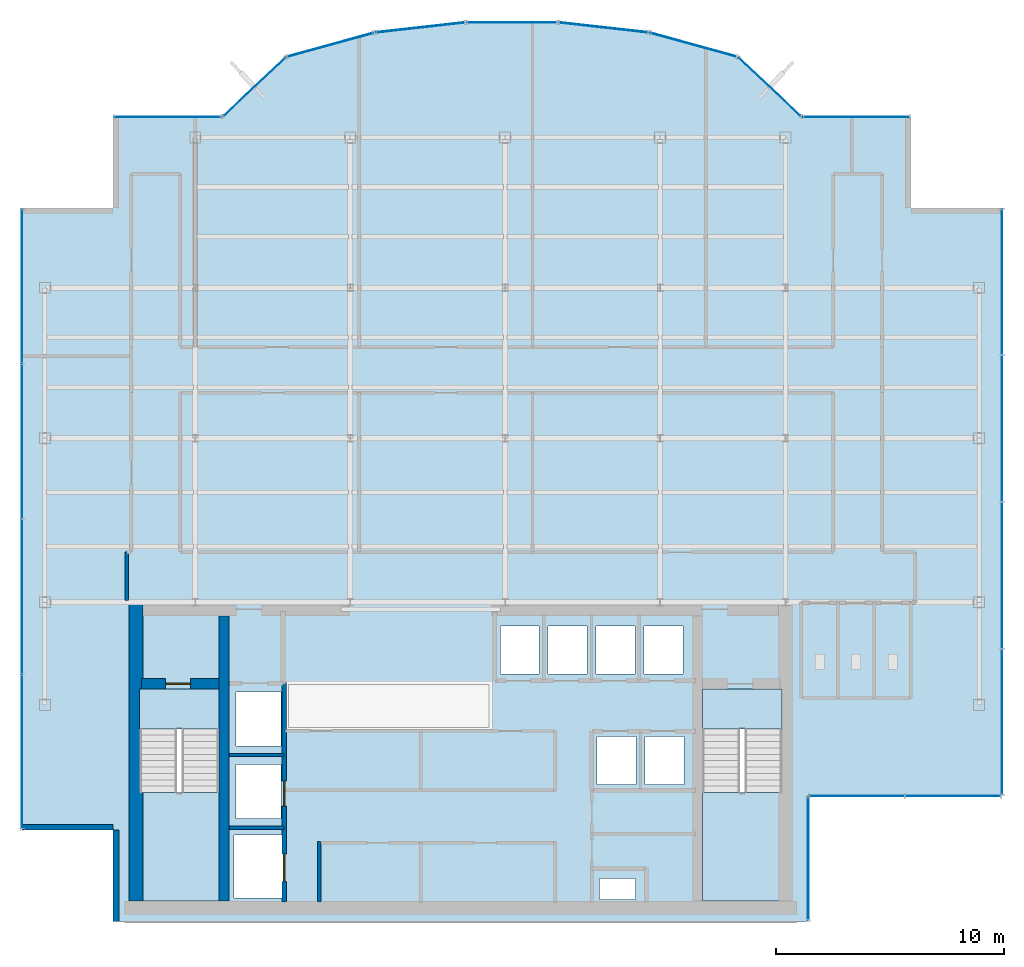
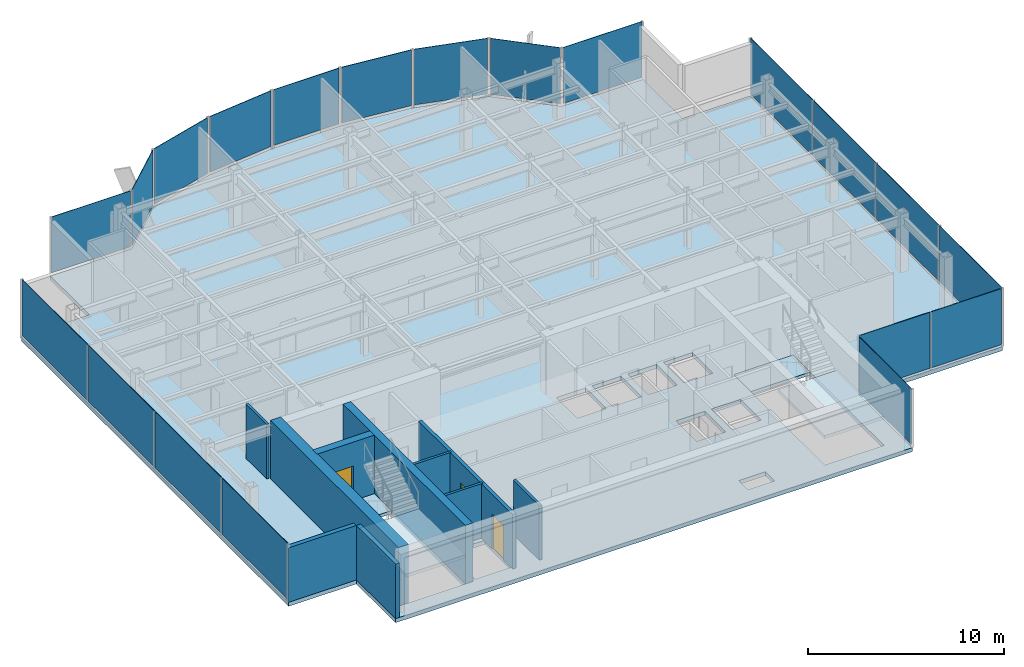
# One storey, part 16 of 22: 20 plates, 10 walls, 5 slabs, 3 doors, 3 openings, 15 elements without a shape of their own.
"""IFC4 building model written with IfcOpenShell, lengths in metres."""

from ifc_helpers import new_model, si_unit, derived_unit, direction, frame, frame_2d, origin, origin_2d, place, context, subcontext, project, spatial, polyline, rectangle, outline, extrude, source, transform, mapped, material, layer, layer_set, type_object, element, fill, aggregate, save


model = new_model("IFC4")

# Units and contexts
model_context = context("Model", 3, precision=1e-05, world=origin(), true_north=direction((0.0, 1.0)))
body_context = subcontext(model_context, "Body", "Model", "MODEL_VIEW")
ifc_project = project(units=[si_unit("LENGTHUNIT", "METRE"), si_unit("AREAUNIT", "SQUARE_METRE"), si_unit("VOLUMEUNIT", "CUBIC_METRE"), si_unit("PLANEANGLEUNIT", "RADIAN"), si_unit("MASSUNIT", "GRAM", prefix="KILO"), derived_unit("THERMALTRANSMITTANCEUNIT", [(si_unit("POWERUNIT", "WATT"), 1), (si_unit("LENGTHUNIT", "METRE"), -2), (si_unit("THERMODYNAMICTEMPERATUREUNIT", "KELVIN"), -1)])], contexts=[model_context])

# Site, building, storey
site_placement = place(None, origin())
site = spatial("IfcSite", under=ifc_project, at=site_placement, CompositionType="ELEMENT")
building_placement = place(site_placement, origin())
building = spatial("IfcBuilding", under=site, at=building_placement, Name="Skarnbrae Concourse Arena and Tower", CompositionType="ELEMENT")
storey_placement = place(building_placement, frame((0.0, 0.0, 251.5)))
storey = spatial("IfcBuildingStorey", under=building, at=storey_placement, Name="L65", CompositionType="ELEMENT", Elevation=251.5)

# Stair, slab
ifc_material_1 = material(Name="Concrete 40 MPa (C40/50)", Category="concrete")
stair_type = type_object("IfcStairType", Name="STAIR-DOGLEG-1650", PredefinedType="HALF_TURN_STAIR", material=ifc_material_1)
stair_1_placement = place(storey_placement, origin())
stair_1 = element("IfcStair", 1, at=stair_1_placement, inside=storey, type_object=stair_type, Name="L65 Protected Exit Stair ST-1", PredefinedType="HALF_TURN_STAIR")
ifc_layer_1 = layer(ifc_material_1, 0.199951171875)
ifc_layer_set_1 = layer_set([ifc_layer_1], Name="Concrete 40 MPa (C40/50)")
slab_type_1 = type_object("IfcSlabType", Name="SLAB-LANDING-200", PredefinedType="LANDING", material=ifc_layer_set_1)
slab_1_placement = place(storey_placement, frame((0.0, 0.0, 1.625)))
slab_1 = element("IfcSlab", 2, at=slab_1_placement, type_object=slab_type_1, Name="ST-1 landing 1", PredefinedType="LANDING", context=body_context, shape_type="SweptSolid", body=[
    extrude(outline(polyline([(5.14990234375, 5.64990234375), (5.14990234375, 0.89990234375), (8.64990234375, 0.89990234375), (8.64990234375, 5.64990234375), (5.14990234375, 5.64990234375)])), origin(), (0.0, 0.0, 1.0), 0.199951171875),
])
aggregate(stair_1, [slab_1])

stair_2_placement = place(storey_placement, origin())
stair_2 = element("IfcStair", 3, at=stair_2_placement, inside=storey, type_object=stair_type, Name="L65 Protected Exit Stair ST-2", PredefinedType="HALF_TURN_STAIR")
slab_2_placement = place(storey_placement, frame((0.0, 0.0, 1.625)))
slab_2 = element("IfcSlab", 4, at=slab_2_placement, type_object=slab_type_1, Name="ST-2 landing 1", PredefinedType="LANDING", context=body_context, shape_type="SweptSolid", body=[
    extrude(outline(polyline([(29.85009765625, 5.64990234375), (29.85009765625, 0.89990234375), (33.35009765625, 0.89990234375), (33.35009765625, 5.64990234375), (29.85009765625, 5.64990234375)])), origin(), (0.0, 0.0, 1.0), 0.199951171875),
])
aggregate(stair_2, [slab_2])

# Slabs
slab_3_placement = place(storey_placement, frame((0.0, 0.0, -0.199951171875)))
element("IfcSlab", 5, at=slab_3_placement, inside=storey, type_object=slab_type_1, Name="L65 Core stair ST1 floor landing", PredefinedType="LANDING", context=body_context, shape_type="SweptSolid", body=[
    extrude(outline(polyline([(5.14990234375, 10.199951171875), (5.14990234375, 8.449951171875), (8.64990234375, 8.449951171875), (8.64990234375, 10.199951171875), (5.14990234375, 10.199951171875)])), origin(), (0.0, 0.0, 1.0), 0.199951171875),
])
slab_4_placement = place(storey_placement, frame((0.0, 0.0, -0.199951171875)))
element("IfcSlab", 6, at=slab_4_placement, inside=storey, type_object=slab_type_1, Name="L65 Core stair ST2 floor landing", PredefinedType="LANDING", context=body_context, shape_type="SweptSolid", body=[
    extrude(outline(polyline([(29.85009765625, 10.199951171875), (29.85009765625, 8.449951171875), (33.35009765625, 8.449951171875), (33.35009765625, 10.199951171875), (29.85009765625, 10.199951171875)])), origin(), (0.0, 0.0, 1.0), 0.199951171875),
])
ifc_layer_2 = layer(ifc_material_1, 0.25)
ifc_layer_set_2 = layer_set([ifc_layer_2], Name="Concrete 40 MPa (C40/50)")
slab_type_2 = type_object("IfcSlabType", Name="SLAB-TOWER-250", PredefinedType="FLOOR", material=ifc_layer_set_2)
slab_5_placement = place(storey_placement, frame((0.0, 0.0, -0.25)))
element("IfcSlab", 7, at=slab_5_placement, inside=storey, type_object=slab_type_2, Name="L65 Structural floor slab", PredefinedType="FLOOR", context=body_context, shape_type="SweptSolid", body=[
    extrude(outline(polyline([(4.0, 0.0), (34.5, 0.0), (34.5, 5.5), (43.0, 5.5), (43.0, 31.300048828125), (39.0, 31.300048828125), (39.0, 35.300048828125), (34.199951171875, 35.300048828125), (31.40966796875, 37.9267578125), (27.52587890625, 38.9970703125), (23.51708984375, 39.44677734375), (19.48291015625, 39.44677734375), (15.47412109375, 38.9970703125), (11.59033203125, 37.9267578125), (8.800048828125, 35.300048828125), (4.0, 35.300048828125), (4.0, 31.300048828125), (0.0, 31.300048828125), (0.0, 4.0), (4.0, 4.0), (4.0, 0.0)]), holes=[polyline([(9.294921875, 1.02001953125), (9.294921875, 3.780029296875), (11.455078125, 3.780029296875), (11.455078125, 1.02001953125), (9.294921875, 1.02001953125)]), polyline([(8.64990234375, 10.199951171875), (8.64990234375, 0.89990234375), (5.14990234375, 0.89990234375), (5.14990234375, 10.199951171875), (8.64990234375, 10.199951171875)]), polyline([(9.39501953125, 6.8798828125), (11.35498046875, 6.8798828125), (11.35498046875, 4.52001953125), (9.39501953125, 4.52001953125), (9.39501953125, 6.8798828125)]), polyline([(9.39501953125, 7.695068359375), (9.39501953125, 10.054931640625), (11.35498046875, 10.054931640625), (11.35498046875, 7.695068359375), (9.39501953125, 7.695068359375)]), polyline([(20.985107421875, 12.955078125), (22.695068359375, 12.955078125), (22.695068359375, 10.844970703125), (20.985107421875, 10.844970703125), (20.985107421875, 12.955078125)]), polyline([(23.0849609375, 12.955078125), (24.794921875, 12.955078125), (24.794921875, 10.844970703125), (23.0849609375, 10.844970703125), (23.0849609375, 12.955078125)]), polyline([(25.35009765625, 0.949951171875), (25.35009765625, 1.889892578125), (26.919921875, 1.889892578125), (26.919921875, 0.949951171875), (25.35009765625, 0.949951171875)]), polyline([(33.35009765625, 10.199951171875), (33.35009765625, 0.89990234375), (29.85009765625, 0.89990234375), (29.85009765625, 10.199951171875), (33.35009765625, 10.199951171875)]), polyline([(25.235107421875, 8.10498046875), (26.945068359375, 8.10498046875), (26.945068359375, 5.9951171875), (25.235107421875, 5.9951171875), (25.235107421875, 8.10498046875)]), polyline([(27.3349609375, 5.9951171875), (27.3349609375, 8.10498046875), (29.044921875, 8.10498046875), (29.044921875, 5.9951171875), (27.3349609375, 5.9951171875)]), polyline([(25.18505859375, 12.955078125), (26.89501953125, 12.955078125), (26.89501953125, 10.844970703125), (25.18505859375, 10.844970703125), (25.18505859375, 12.955078125)]), polyline([(27.284912109375, 12.955078125), (28.9951171875, 12.955078125), (28.9951171875, 10.844970703125), (27.284912109375, 10.844970703125), (27.284912109375, 12.955078125)])]), origin(), (0.0, 0.0, 1.0), 0.25),
])

# Curtain wall, plate
ifc_material_2 = material(Name="Bronze anodised aluminium 6063-T6", Category="aluminium")
curtain_wall_type_1 = type_object("IfcCurtainWallType", Name="CW-SYS-05-HIGHZONE", PredefinedType="USERDEFINED", material=ifc_material_2)
curtain_wall_1_placement = place(storey_placement, origin())
curtain_wall_1 = element("IfcCurtainWall", 8, at=curtain_wall_1_placement, inside=storey, type_object=curtain_wall_type_1, Name="L65 Unitised curtain wall CW-L65-E02", ObjectType="UNITISED CURTAIN WALL", PredefinedType="USERDEFINED")
ifc_material_3 = material(Name="Low-E triple insulating glass", Category="glass")
ifc_layer_3 = layer(ifc_material_3, 0.030029296875)
ifc_layer_set_3 = layer_set([ifc_layer_3], Name="Low-E triple insulating glass")
plate_type_1 = type_object("IfcPlateType", Name="CWP-CW-05", PredefinedType="CURTAIN_PANEL", material=ifc_layer_set_3)
shared_shape_1 = source(origin(), body_context, "Body", "SweptSolid", [
    extrude(rectangle(XDim=5.35009765625, YDim=0.030029296875, at=origin_2d()), origin(), (0.0, 0.0, 1.0), 3.5),
])
plate_1_placement = place(storey_placement, frame((34.5, 2.75, 0.14990234375), z_axis=(0.0, 0.0, 1.0), x_axis=(0.0, 1.0, 0.0)))
plate_1 = element("IfcPlate", 9, at=plate_1_placement, type_object=plate_type_1, Name="CW-L65-E02 Low-E Glazing Panel 1", PredefinedType="CURTAIN_PANEL", context=body_context, shape_type="MappedRepresentation", body=[
    mapped(shared_shape_1, transform((0.0, 0.0, 0.0))),
])
aggregate(curtain_wall_1, [plate_1])

# Curtain wall, plates
curtain_wall_2_placement = place(storey_placement, origin())
curtain_wall_2 = element("IfcCurtainWall", 10, at=curtain_wall_2_placement, inside=storey, type_object=curtain_wall_type_1, Name="L65 Unitised curtain wall CW-L65-E03", ObjectType="UNITISED CURTAIN WALL", PredefinedType="USERDEFINED")
shared_shape_2 = source(origin(), body_context, "Body", "SweptSolid", [
    extrude(rectangle(XDim=4.137451171875, YDim=0.030029296875, at=origin_2d()), origin(), (0.0, 0.0, 1.0), 3.5),
])
plate_2_placement = place(storey_placement, frame((36.643798828125, 5.5, 0.14990234375), z_axis=(0.0, 0.0, 1.0), x_axis=(1.0, 0.0, 0.0)))
plate_2 = element("IfcPlate", 11, at=plate_2_placement, type_object=plate_type_1, Name="CW-L65-E03 Low-E Glazing Panel 1", PredefinedType="CURTAIN_PANEL", context=body_context, shape_type="MappedRepresentation", body=[
    mapped(shared_shape_2, transform((0.0, 0.0, 0.0))),
])
plate_3_placement = place(storey_placement, frame((40.856201171875, 5.5, 0.14990234375), z_axis=(0.0, 0.0, 1.0), x_axis=(1.0, 0.0, 0.0)))
plate_3 = element("IfcPlate", 12, at=plate_3_placement, type_object=plate_type_1, Name="CW-L65-E03 Low-E Glazing Panel 2", PredefinedType="CURTAIN_PANEL", context=body_context, shape_type="MappedRepresentation", body=[
    mapped(shared_shape_2, transform((0.0, 0.0, 0.0))),
])
aggregate(curtain_wall_2, [plate_2, plate_3])

# Curtain wall, plate
curtain_wall_3_placement = place(storey_placement, origin())
curtain_wall_3 = element("IfcCurtainWall", 13, at=curtain_wall_3_placement, inside=storey, type_object=curtain_wall_type_1, Name="L65 Unitised curtain wall CW-L65-E07", ObjectType="UNITISED CURTAIN WALL", PredefinedType="USERDEFINED")
shared_shape_3 = source(origin(), body_context, "Body", "SweptSolid", [
    extrude(rectangle(XDim=4.64990234375, YDim=0.030029296875, at=origin_2d()), origin(), (0.0, 0.0, 1.0), 3.5),
])
plate_4_placement = place(storey_placement, frame((36.60009765625, 35.300048828125, 0.14990234375), z_axis=(0.0, 0.0, 1.0), x_axis=(-1.0, 0.0, 0.0)))
plate_4 = element("IfcPlate", 14, at=plate_4_placement, type_object=plate_type_1, Name="CW-L65-E07 Low-E Glazing Panel 1", PredefinedType="CURTAIN_PANEL", context=body_context, shape_type="MappedRepresentation", body=[
    mapped(shared_shape_3, transform((0.0, 0.0, 0.0))),
])
aggregate(curtain_wall_3, [plate_4])

curtain_wall_4_placement = place(storey_placement, origin())
curtain_wall_4 = element("IfcCurtainWall", 15, at=curtain_wall_4_placement, inside=storey, type_object=curtain_wall_type_1, Name="L65 Unitised curtain wall CW-L65-E15", ObjectType="UNITISED CURTAIN WALL", PredefinedType="USERDEFINED")
plate_5_placement = place(storey_placement, frame((6.39990234375, 35.300048828125, 0.14990234375), z_axis=(0.0, 0.0, 1.0), x_axis=(-1.0, 0.0, 0.0)))
plate_5 = element("IfcPlate", 16, at=plate_5_placement, type_object=plate_type_1, Name="CW-L65-E15 Low-E Glazing Panel 1", PredefinedType="CURTAIN_PANEL", context=body_context, shape_type="MappedRepresentation", body=[
    mapped(shared_shape_3, transform((0.0, 0.0, 0.0))),
])
aggregate(curtain_wall_4, [plate_5])

curtain_wall_5_placement = place(storey_placement, origin())
curtain_wall_5 = element("IfcCurtainWall", 17, at=curtain_wall_5_placement, inside=storey, type_object=curtain_wall_type_1, Name="L65 Unitised curtain wall CW-L65-E08", ObjectType="UNITISED CURTAIN WALL", PredefinedType="USERDEFINED")
shared_shape_4 = source(origin(), body_context, "Body", "SweptSolid", [
    extrude(rectangle(XDim=3.68212890625, YDim=0.030029296875, at=origin_2d()), origin(), (0.0, 0.0, 1.0), 3.5),
])
plate_6_placement = place(storey_placement, frame((32.804931640625, 36.61328125, 0.14990234375), z_axis=(0.0, 0.0, 1.0), x_axis=(-0.728130555214, 0.685438468838, 0.0)))
plate_6 = element("IfcPlate", 18, at=plate_6_placement, type_object=plate_type_1, Name="CW-L65-E08 Low-E Glazing Panel 1", PredefinedType="CURTAIN_PANEL", context=body_context, shape_type="MappedRepresentation", body=[
    mapped(shared_shape_4, transform((0.0, 0.0, 0.0))),
])
aggregate(curtain_wall_5, [plate_6])

curtain_wall_6_placement = place(storey_placement, origin())
curtain_wall_6 = element("IfcCurtainWall", 19, at=curtain_wall_6_placement, inside=storey, type_object=curtain_wall_type_1, Name="L65 Unitised curtain wall CW-L65-E14", ObjectType="UNITISED CURTAIN WALL", PredefinedType="USERDEFINED")
plate_7_placement = place(storey_placement, frame((10.195068359375, 36.61328125, 0.14990234375), z_axis=(0.0, 0.0, 1.0), x_axis=(-0.728130555214, -0.685438468838, 0.0)))
plate_7 = element("IfcPlate", 20, at=plate_7_placement, type_object=plate_type_1, Name="CW-L65-E14 Low-E Glazing Panel 1", PredefinedType="CURTAIN_PANEL", context=body_context, shape_type="MappedRepresentation", body=[
    mapped(shared_shape_4, transform((0.0, 0.0, 0.0))),
])
aggregate(curtain_wall_6, [plate_7])

# Curtain wall, plates
curtain_wall_7_placement = place(storey_placement, origin())
curtain_wall_7 = element("IfcCurtainWall", 21, at=curtain_wall_7_placement, inside=storey, type_object=curtain_wall_type_1, Name="L65 Unitised curtain wall CW-L65-E18", ObjectType="UNITISED CURTAIN WALL", PredefinedType="USERDEFINED")
shared_shape_5 = source(origin(), body_context, "Body", "SweptSolid", [
    extrude(rectangle(XDim=6.71240234375, YDim=0.030029296875, at=origin_2d()), origin(), (0.0, 0.0, 1.0), 3.5),
])
plate_8_placement = place(storey_placement, frame((0.0, 27.86865234375, 0.14990234375), z_axis=(0.0, 0.0, 1.0), x_axis=(0.0, -1.0, 0.0)))
plate_8 = element("IfcPlate", 22, at=plate_8_placement, type_object=plate_type_1, Name="CW-L65-E18 Low-E Glazing Panel 1", PredefinedType="CURTAIN_PANEL", context=body_context, shape_type="MappedRepresentation", body=[
    mapped(shared_shape_5, transform((0.0, 0.0, 0.0))),
])
plate_9_placement = place(storey_placement, frame((0.0, 7.431396484375, 0.14990234375), z_axis=(0.0, 0.0, 1.0), x_axis=(0.0, -1.0, 0.0)))
plate_9 = element("IfcPlate", 23, at=plate_9_placement, type_object=plate_type_1, Name="CW-L65-E18 Low-E Glazing Panel 4", PredefinedType="CURTAIN_PANEL", context=body_context, shape_type="MappedRepresentation", body=[
    mapped(shared_shape_5, transform((0.0, 0.0, 0.0))),
])
shared_shape_6 = source(origin(), body_context, "Body", "SweptSolid", [
    extrude(rectangle(XDim=6.75, YDim=0.030029296875, at=origin_2d()), origin(), (0.0, 0.0, 1.0), 3.5),
])
plate_10_placement = place(storey_placement, frame((0.0, 21.0625, 0.14990234375), z_axis=(0.0, 0.0, 1.0), x_axis=(0.0, -1.0, 0.0)))
plate_10 = element("IfcPlate", 24, at=plate_10_placement, type_object=plate_type_1, Name="CW-L65-E18 Low-E Glazing Panel 2", PredefinedType="CURTAIN_PANEL", context=body_context, shape_type="MappedRepresentation", body=[
    mapped(shared_shape_6, transform((0.0, 0.0, 0.0))),
])
plate_11_placement = place(storey_placement, frame((0.0, 14.237548828125, 0.14990234375), z_axis=(0.0, 0.0, 1.0), x_axis=(0.0, -1.0, 0.0)))
plate_11 = element("IfcPlate", 25, at=plate_11_placement, type_object=plate_type_1, Name="CW-L65-E18 Low-E Glazing Panel 3", PredefinedType="CURTAIN_PANEL", context=body_context, shape_type="MappedRepresentation", body=[
    mapped(shared_shape_6, transform((0.0, 0.0, 0.0))),
])
aggregate(curtain_wall_7, [plate_8, plate_10, plate_11, plate_9])

curtain_wall_8_placement = place(storey_placement, origin())
curtain_wall_8 = element("IfcCurtainWall", 26, at=curtain_wall_8_placement, inside=storey, type_object=curtain_wall_type_1, Name="L65 Unitised curtain wall CW-L65-E04", ObjectType="UNITISED CURTAIN WALL", PredefinedType="USERDEFINED")
shared_shape_7 = source(origin(), body_context, "Body", "SweptSolid", [
    extrude(rectangle(XDim=6.33740234375, YDim=0.030029296875, at=origin_2d()), origin(), (0.0, 0.0, 1.0), 3.5),
])
plate_12_placement = place(storey_placement, frame((43.0, 8.743896484375, 0.14990234375), z_axis=(0.0, 0.0, 1.0), x_axis=(0.0, 1.0, 0.0)))
plate_12 = element("IfcPlate", 27, at=plate_12_placement, type_object=plate_type_1, Name="CW-L65-E04 Low-E Glazing Panel 1", PredefinedType="CURTAIN_PANEL", context=body_context, shape_type="MappedRepresentation", body=[
    mapped(shared_shape_7, transform((0.0, 0.0, 0.0))),
])
plate_13_placement = place(storey_placement, frame((43.0, 28.05615234375, 0.14990234375), z_axis=(0.0, 0.0, 1.0), x_axis=(0.0, 1.0, 0.0)))
plate_13 = element("IfcPlate", 28, at=plate_13_placement, type_object=plate_type_1, Name="CW-L65-E04 Low-E Glazing Panel 4", PredefinedType="CURTAIN_PANEL", context=body_context, shape_type="MappedRepresentation", body=[
    mapped(shared_shape_7, transform((0.0, 0.0, 0.0))),
])
shared_shape_8 = source(origin(), body_context, "Body", "SweptSolid", [
    extrude(rectangle(XDim=6.375, YDim=0.030029296875, at=origin_2d()), origin(), (0.0, 0.0, 1.0), 3.5),
])
plate_14_placement = place(storey_placement, frame((43.0, 15.175048828125, 0.14990234375), z_axis=(0.0, 0.0, 1.0), x_axis=(0.0, 1.0, 0.0)))
plate_14 = element("IfcPlate", 29, at=plate_14_placement, type_object=plate_type_1, Name="CW-L65-E04 Low-E Glazing Panel 2", PredefinedType="CURTAIN_PANEL", context=body_context, shape_type="MappedRepresentation", body=[
    mapped(shared_shape_8, transform((0.0, 0.0, 0.0))),
])
plate_15_placement = place(storey_placement, frame((43.0, 21.625, 0.14990234375), z_axis=(0.0, 0.0, 1.0), x_axis=(0.0, 1.0, 0.0)))
plate_15 = element("IfcPlate", 30, at=plate_15_placement, type_object=plate_type_1, Name="CW-L65-E04 Low-E Glazing Panel 3", PredefinedType="CURTAIN_PANEL", context=body_context, shape_type="MappedRepresentation", body=[
    mapped(shared_shape_8, transform((0.0, 0.0, 0.0))),
])
aggregate(curtain_wall_8, [plate_12, plate_14, plate_15, plate_13])

# Curtain wall, plate
curtain_wall_type_2 = type_object("IfcCurtainWallType", Name="CW-SYS-03-PORTAL", PredefinedType="USERDEFINED", material=ifc_material_2)
curtain_wall_9_placement = place(storey_placement, origin())
curtain_wall_9 = element("IfcCurtainWall", 31, at=curtain_wall_9_placement, inside=storey, type_object=curtain_wall_type_2, Name="L65 Unitised curtain wall CW-L65-E09", ObjectType="UNITISED CURTAIN WALL", PredefinedType="USERDEFINED")
ifc_layer_4 = layer(ifc_material_3, 0.033935546875)
ifc_layer_set_4 = layer_set([ifc_layer_4], Name="Low-E triple insulating glass")
plate_type_2 = type_object("IfcPlateType", Name="CWP-CW-03", PredefinedType="CURTAIN_PANEL", material=ifc_layer_set_4)
shared_shape_9 = source(origin(), body_context, "Body", "SweptSolid", [
    extrude(rectangle(XDim=3.86865234375, YDim=0.033935546875, at=origin_2d()), origin(), (0.0, 0.0, 1.0), 3.47998046875),
])
plate_16_placement = place(storey_placement, frame((29.4677734375, 38.4619140625, 0.169921875), z_axis=(0.0, 0.0, 1.0), x_axis=(-0.964057388766, 0.265694093207, 0.0)))
plate_16 = element("IfcPlate", 32, at=plate_16_placement, type_object=plate_type_2, Name="CW-L65-E09 Low-E Glazing Panel 1", PredefinedType="CURTAIN_PANEL", context=body_context, shape_type="MappedRepresentation", body=[
    mapped(shared_shape_9, transform((0.0, 0.0, 0.0))),
])
aggregate(curtain_wall_9, [plate_16])

curtain_wall_10_placement = place(storey_placement, origin())
curtain_wall_10 = element("IfcCurtainWall", 33, at=curtain_wall_10_placement, inside=storey, type_object=curtain_wall_type_2, Name="L65 Unitised curtain wall CW-L65-E13", ObjectType="UNITISED CURTAIN WALL", PredefinedType="USERDEFINED")
plate_17_placement = place(storey_placement, frame((13.5322265625, 38.4619140625, 0.169921875), z_axis=(0.0, 0.0, 1.0), x_axis=(-0.964057388766, -0.265694093207, 0.0)))
plate_17 = element("IfcPlate", 34, at=plate_17_placement, type_object=plate_type_2, Name="CW-L65-E13 Low-E Glazing Panel 1", PredefinedType="CURTAIN_PANEL", context=body_context, shape_type="MappedRepresentation", body=[
    mapped(shared_shape_9, transform((0.0, 0.0, 0.0))),
])
aggregate(curtain_wall_10, [plate_17])

curtain_wall_11_placement = place(storey_placement, origin())
curtain_wall_11 = element("IfcCurtainWall", 35, at=curtain_wall_11_placement, inside=storey, type_object=curtain_wall_type_2, Name="L65 Unitised curtain wall CW-L65-E10", ObjectType="UNITISED CURTAIN WALL", PredefinedType="USERDEFINED")
shared_shape_10 = source(origin(), body_context, "Body", "SweptSolid", [
    extrude(rectangle(XDim=3.873779296875, YDim=0.033935546875, at=origin_2d()), origin(), (0.0, 0.0, 1.0), 3.47998046875),
])
plate_18_placement = place(storey_placement, frame((25.521484375, 39.221923828125, 0.169921875), z_axis=(0.0, 0.0, 1.0), x_axis=(-0.993768891873, 0.111460259941, 0.0)))
plate_18 = element("IfcPlate", 36, at=plate_18_placement, type_object=plate_type_2, Name="CW-L65-E10 Low-E Glazing Panel 1", PredefinedType="CURTAIN_PANEL", context=body_context, shape_type="MappedRepresentation", body=[
    mapped(shared_shape_10, transform((0.0, 0.0, 0.0))),
])
aggregate(curtain_wall_11, [plate_18])

curtain_wall_12_placement = place(storey_placement, origin())
curtain_wall_12 = element("IfcCurtainWall", 37, at=curtain_wall_12_placement, inside=storey, type_object=curtain_wall_type_2, Name="L65 Unitised curtain wall CW-L65-E12", ObjectType="UNITISED CURTAIN WALL", PredefinedType="USERDEFINED")
plate_19_placement = place(storey_placement, frame((17.478515625, 39.221923828125, 0.169921875), z_axis=(0.0, 0.0, 1.0), x_axis=(-0.993768891873, -0.111460259941, 0.0)))
plate_19 = element("IfcPlate", 38, at=plate_19_placement, type_object=plate_type_2, Name="CW-L65-E12 Low-E Glazing Panel 1", PredefinedType="CURTAIN_PANEL", context=body_context, shape_type="MappedRepresentation", body=[
    mapped(shared_shape_10, transform((0.0, 0.0, 0.0))),
])
aggregate(curtain_wall_12, [plate_19])

curtain_wall_13_placement = place(storey_placement, origin())
curtain_wall_13 = element("IfcCurtainWall", 39, at=curtain_wall_13_placement, inside=storey, type_object=curtain_wall_type_2, Name="L65 Unitised curtain wall CW-L65-E11", ObjectType="UNITISED CURTAIN WALL", PredefinedType="USERDEFINED")
shared_shape_11 = source(origin(), body_context, "Body", "SweptSolid", [
    extrude(rectangle(XDim=3.87451171875, YDim=0.033935546875, at=origin_2d()), origin(), (0.0, 0.0, 1.0), 3.47998046875),
])
plate_20_placement = place(storey_placement, frame((21.5, 39.44677734375, 0.169921875), z_axis=(0.0, 0.0, 1.0), x_axis=(-1.0, 0.0, 0.0)))
plate_20 = element("IfcPlate", 40, at=plate_20_placement, type_object=plate_type_2, Name="CW-L65-E11 Low-E Glazing Panel 1", PredefinedType="CURTAIN_PANEL", context=body_context, shape_type="MappedRepresentation", body=[
    mapped(shared_shape_11, transform((0.0, 0.0, 0.0))),
])
aggregate(curtain_wall_13, [plate_20])

# Wall, opening, door
ifc_material_4 = material(Name="Concrete 50 MPa (C50/60)", Category="concrete")
ifc_layer_5 = layer(ifc_material_4, 0.449951171875)
ifc_layer_set_5 = layer_set([ifc_layer_5], Name="Concrete 50 MPa (C50/60)")
wall_type_1 = type_object("IfcWallType", Name="WALL-CORE-450-C50", PredefinedType="SHEAR", material=ifc_layer_set_5)
shared_shape_12 = source(origin(), body_context, "Body", "SweptSolid", [
    extrude(rectangle(XDim=3.389892578125, YDim=0.449951171875, at=frame_2d((1.69482421875, 0.0))), origin(), (0.0, 0.0, 1.0), 3.64990234375),
])
wall_1_placement = place(storey_placement, frame((5.25, 10.419921875, 0.0), z_axis=(0.0, 0.0, 1.0), x_axis=(1.0, 0.0, 0.0)))
wall_1 = element("IfcWall", 41, at=wall_1_placement, inside=storey, type_object=wall_type_1, Name="L65 Rear core shear wall CW-ST1-N", PredefinedType="SHEAR", context=body_context, shape_type="MappedRepresentation", body=[
    mapped(shared_shape_12, transform((0.0, 0.0, 0.0))),
])
opening_1_placement = place(wall_1_placement, frame((1.050048828125, 0.0, 0.0)))
opening_1 = element("IfcOpeningElement", 42, at=opening_1_placement, cuts=wall_1, Name="Opening DT-03", PredefinedType="OPENING", context=body_context, shape_type="SweptSolid", body=[
    extrude(rectangle(XDim=1.10009765625, YDim=2.14990234375, at=frame_2d((0.550048828125, 1.074951171875))), frame((0.0, 0.23486328125, 0.0), z_axis=(0.0, -1.0, 0.0), x_axis=(1.0, 0.0, 0.0)), (0.0, 0.0, 1.0), 0.469970703125),
])
ifc_material_5 = material(Name="Steel CSA G40.21 350W", Category="steel")
door_type_1 = type_object("IfcDoorType", Name="DOOR-FIRE-1100-90M", OperationType="NOTDEFINED", PredefinedType="DOOR", material=ifc_material_5)
shared_shape_13 = source(origin(), body_context, "Body", "SweptSolid", [
    extrude(rectangle(XDim=1.10009765625, YDim=2.14990234375, at=frame_2d((0.550048828125, 1.074951171875))), frame((0.0, 0.02490234375, 0.0), z_axis=(0.0, -1.0, 0.0), x_axis=(1.0, 0.0, 0.0)), (0.0, 0.0, 1.0), 0.050048828125),
])
door_1_placement = place(opening_1_placement, frame((1.10009765625, 0.0, 0.0), z_axis=(0.0, 0.0, 1.0), x_axis=(-1.0, 0.0, 0.0)))
door_1 = element("IfcDoor", 43, at=door_1_placement, inside=storey, type_object=door_type_1, Name="D-1953 Stair ST-1 Door", OperationType="SINGLE_SWING_LEFT", OverallHeight=2.14990234375, OverallWidth=1.10009765625, PredefinedType="DOOR", context=body_context, shape_type="MappedRepresentation", body=[
    mapped(shared_shape_13, transform((0.0, 0.0, 0.0))),
])
fill(opening_1, door_1)

# Walls
ifc_layer_6 = layer(ifc_material_4, 0.60009765625)
ifc_layer_set_6 = layer_set([ifc_layer_6], Name="Concrete 50 MPa (C50/60)")
wall_type_2 = type_object("IfcWallType", Name="WALL-CORE-600-C50", PredefinedType="SHEAR", material=ifc_layer_set_6)
shared_shape_14 = source(origin(), body_context, "Body", "SweptSolid", [
    extrude(rectangle(XDim=13.10009765625, YDim=0.60009765625, at=frame_2d((6.550048828125, 0.0))), origin(), (0.0, 0.0, 1.0), 3.64990234375),
])
wall_2_placement = place(storey_placement, frame((5.0, 0.89990234375, 0.0), z_axis=(0.0, 0.0, 1.0), x_axis=(0.0, 1.0, 0.0)))
element("IfcWall", 44, at=wall_2_placement, inside=storey, type_object=wall_type_2, Name="L65 Rear core shear wall CW-W", PredefinedType="SHEAR", context=body_context, shape_type="MappedRepresentation", body=[
    mapped(shared_shape_14, transform((0.0, 0.0, 0.0))),
])
shared_shape_15 = source(origin(), body_context, "Body", "SweptSolid", [
    extrude(rectangle(XDim=12.5, YDim=0.449951171875, at=frame_2d((6.25, 0.0))), origin(), (0.0, 0.0, 1.0), 3.64990234375),
])
wall_3_placement = place(storey_placement, frame((8.864990234375, 0.89990234375, 0.0), z_axis=(0.0, 0.0, 1.0), x_axis=(0.0, 1.0, 0.0)))
element("IfcWall", 45, at=wall_3_placement, inside=storey, type_object=wall_type_1, Name="L65 Rear core shear wall CW-WEB-W", PredefinedType="SHEAR", context=body_context, shape_type="MappedRepresentation", body=[
    mapped(shared_shape_15, transform((0.0, 0.0, 0.0))),
])
ifc_material_6 = material(Name="Precast concrete 40 MPa (C40/50)", Category="concrete")
ifc_layer_7 = layer(ifc_material_6, 0.25)
ifc_layer_set_7 = layer_set([ifc_layer_7], Name="Precast concrete 40 MPa (C40/50)")
wall_type_3 = type_object("IfcWallType", Name="WALL-EXT-SPANDREL-250", PredefinedType="STANDARD", material=ifc_layer_set_7)
shared_shape_16 = source(origin(), body_context, "Body", "SweptSolid", [
    extrude(rectangle(XDim=4.0, YDim=0.25, at=frame_2d((2.0, 0.0))), origin(), (0.0, 0.0, 1.0), 3.39990234375),
])
for number, where, z_axis, x_axis, name in (
    (46, (0.0, 4.125, 0.0), (0.0, 0.0, 1.0), (1.0, 0.0, 0.0), "L65 Notched corner insulated return wall 19"),
    (47, (4.125, 4.0, 0.0), (0.0, 0.0, 1.0), (0.0, -1.0, 0.0), "L65 Notched corner insulated return wall 20"),
):
    element("IfcWall", number, at=place(storey_placement, frame(where, z_axis=z_axis, x_axis=x_axis)), inside=storey, type_object=wall_type_3, Name=name, PredefinedType="STANDARD", context=body_context, shape_type="MappedRepresentation", body=[
        mapped(shared_shape_16, transform((0.0, 0.0, 0.0))),
    ])

# Wall, openings, doors
ifc_material_7 = material(Name="Gypsum board on cold-formed steel studs", Category="steel")
ifc_layer_8 = layer(ifc_material_7, 0.199951171875)
ifc_layer_set_8 = layer_set([ifc_layer_8], Name="Gypsum board on cold-formed steel studs")
wall_type_4 = type_object("IfcWallType", Name="WALL-PART-200-2HR", PredefinedType="PARTITIONING", material=ifc_layer_set_8)
shared_shape_17 = source(origin(), body_context, "Body", "SweptSolid", [
    extrude(rectangle(XDim=9.599853515625, YDim=0.199951171875, at=frame_2d((4.7998046875, 0.0))), origin(), (0.0, 0.0, 1.0), 3.39990234375),
])
wall_4_placement = place(storey_placement, frame((11.5, 0.85009765625, 0.0), z_axis=(0.0, 0.0, 1.0), x_axis=(0.0, 1.0, 0.0)))
wall_4 = element("IfcWall", 48, at=wall_4_placement, inside=storey, type_object=wall_type_4, Name="L65 Interior partition wall W-L65-FL-E", PredefinedType="PARTITIONING", context=body_context, shape_type="MappedRepresentation", body=[
    mapped(shared_shape_17, transform((0.0, 0.0, 0.0))),
])
opening_2_placement = place(wall_4_placement, frame((4.199951171875, 0.0, 0.0)))
opening_2 = element("IfcOpeningElement", 49, at=opening_2_placement, cuts=wall_4, Name="Opening LD-01", PredefinedType="OPENING", context=body_context, shape_type="SweptSolid", body=[
    extrude(rectangle(XDim=1.10009765625, YDim=2.14990234375, at=frame_2d((0.550048828125, 1.074951171875))), frame((0.0, 0.10986328125, 0.0), z_axis=(0.0, -1.0, 0.0), x_axis=(1.0, 0.0, 0.0)), (0.0, 0.0, 1.0), 0.219970703125),
])
opening_3_placement = place(wall_4_placement, frame((0.89990234375, 0.0, 0.0)))
opening_3 = element("IfcOpeningElement", 50, at=opening_3_placement, cuts=wall_4, Name="Opening LD-02", PredefinedType="OPENING", context=body_context, shape_type="SweptSolid", body=[
    extrude(rectangle(XDim=1.199951171875, YDim=2.14990234375, at=frame_2d((0.60009765625, 1.074951171875))), frame((0.0, 0.10986328125, 0.0), z_axis=(0.0, -1.0, 0.0), x_axis=(1.0, 0.0, 0.0)), (0.0, 0.0, 1.0), 0.219970703125),
])
door_type_2 = type_object("IfcDoorType", Name="DOOR-LIFT-SLIDE-1100", OperationType="SLIDING_TO_LEFT", PredefinedType="DOOR", material=ifc_material_5)
door_2_placement = place(opening_2_placement, frame((1.10009765625, 0.0, 0.0), z_axis=(0.0, 0.0, 1.0), x_axis=(-1.0, 0.0, 0.0)))
door_2 = element("IfcDoor", 51, at=door_2_placement, inside=storey, type_object=door_type_2, Name="D-1958 Firefighting Lift Landing Door FL-02", OperationType="SLIDING_TO_LEFT", OverallHeight=2.14990234375, OverallWidth=1.10009765625, PredefinedType="DOOR", context=body_context, shape_type="MappedRepresentation", body=[
    mapped(shared_shape_13, transform((0.0, 0.0, 0.0))),
])
fill(opening_2, door_2)
door_type_3 = type_object("IfcDoorType", Name="DOOR-LIFT-SLIDE-1200", OperationType="SLIDING_TO_LEFT", PredefinedType="DOOR", material=ifc_material_5)
shared_shape_18 = source(origin(), body_context, "Body", "SweptSolid", [
    extrude(rectangle(XDim=1.199951171875, YDim=2.14990234375, at=frame_2d((0.60009765625, 1.074951171875))), frame((0.0, 0.02490234375, 0.0), z_axis=(0.0, -1.0, 0.0), x_axis=(1.0, 0.0, 0.0)), (0.0, 0.0, 1.0), 0.050048828125),
])
door_3_placement = place(opening_3_placement, frame((1.199951171875, 0.0, 0.0), z_axis=(0.0, 0.0, 1.0), x_axis=(-1.0, 0.0, 0.0)))
door_3 = element("IfcDoor", 52, at=door_3_placement, inside=storey, type_object=door_type_3, Name="D-1959 Service Lift Landing Door SV-01", OperationType="SLIDING_TO_LEFT", OverallHeight=2.14990234375, OverallWidth=1.199951171875, PredefinedType="DOOR", context=body_context, shape_type="MappedRepresentation", body=[
    mapped(shared_shape_18, transform((0.0, 0.0, 0.0))),
])
fill(opening_3, door_3)

# Walls
ifc_layer_9 = layer(ifc_material_7, 0.14990234375)
ifc_layer_set_9 = layer_set([ifc_layer_9], Name="Gypsum board on cold-formed steel studs")
wall_type_5 = type_object("IfcWallType", Name="WALL-PART-150", PredefinedType="PARTITIONING", material=ifc_layer_set_9)
shared_shape_19 = source(origin(), body_context, "Body", "SweptSolid", [
    extrude(rectangle(XDim=2.39990234375, YDim=0.14990234375, at=frame_2d((1.199951171875, 0.0))), origin(), (0.0, 0.0, 1.0), 3.39990234375),
])
for number, where, z_axis, x_axis, name in (
    (53, (9.10009765625, 4.10009765625, 0.0), (0.0, 0.0, 1.0), (1.0, 0.0, 0.0), "L65 Interior partition wall W-L65-FL-D1"),
    (54, (9.10009765625, 7.300048828125, 0.0), (0.0, 0.0, 1.0), (1.0, 0.0, 0.0), "L65 Interior partition wall W-L65-FL-D2"),
):
    element("IfcWall", number, at=place(storey_placement, frame(where, z_axis=z_axis, x_axis=x_axis)), inside=storey, type_object=wall_type_5, Name=name, PredefinedType="PARTITIONING", context=body_context, shape_type="MappedRepresentation", body=[
        mapped(shared_shape_19, transform((0.0, 0.0, 0.0))),
    ])
ifc_layer_10 = layer(ifc_material_7, 0.14990234375)
ifc_layer_set_10 = layer_set([ifc_layer_10], Name="Gypsum board on cold-formed steel studs")
wall_type_6 = type_object("IfcWallType", Name="WALL-PART-150-1HR", PredefinedType="PARTITIONING", material=ifc_layer_set_10)
shared_shape_20 = source(origin(), body_context, "Body", "SweptSolid", [
    extrude(rectangle(XDim=2.64990234375, YDim=0.14990234375, at=frame_2d((1.324951171875, 0.0))), origin(), (0.0, 0.0, 1.0), 3.39990234375),
])
wall_5_placement = place(storey_placement, frame((13.050048828125, 0.85009765625, 0.0), z_axis=(0.0, 0.0, 1.0), x_axis=(0.0, 1.0, 0.0)))
element("IfcWall", 55, at=wall_5_placement, inside=storey, type_object=wall_type_6, Name="L65 Interior partition wall W-L65-B1M-W", PredefinedType="PARTITIONING", context=body_context, shape_type="MappedRepresentation", body=[
    mapped(shared_shape_20, transform((0.0, 0.0, 0.0))),
])
shared_shape_21 = source(origin(), body_context, "Body", "SweptSolid", [
    extrude(rectangle(XDim=2.119873046875, YDim=0.14990234375, at=frame_2d((1.06005859375, 0.0))), origin(), (0.0, 0.0, 1.0), 3.39990234375),
])
wall_6_placement = place(storey_placement, frame((4.60009765625, 14.080078125, 0.0), z_axis=(0.0, 0.0, 1.0), x_axis=(0.0, 1.0, 0.0)))
element("IfcWall", 56, at=wall_6_placement, inside=storey, type_object=wall_type_6, Name="L65 Interior partition wall W-L65-COR-01", PredefinedType="PARTITIONING", context=body_context, shape_type="MappedRepresentation", body=[
    mapped(shared_shape_21, transform((0.0, 0.0, 0.0))),
])

save(model, "model.ifc")
